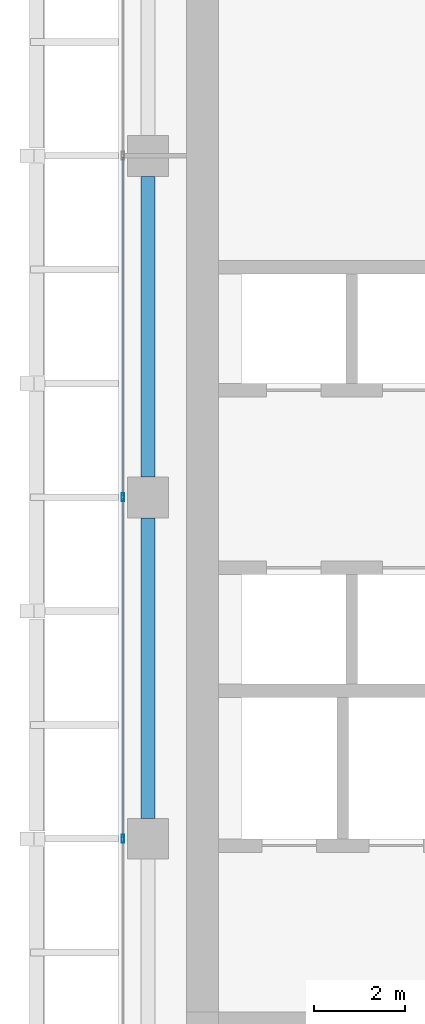
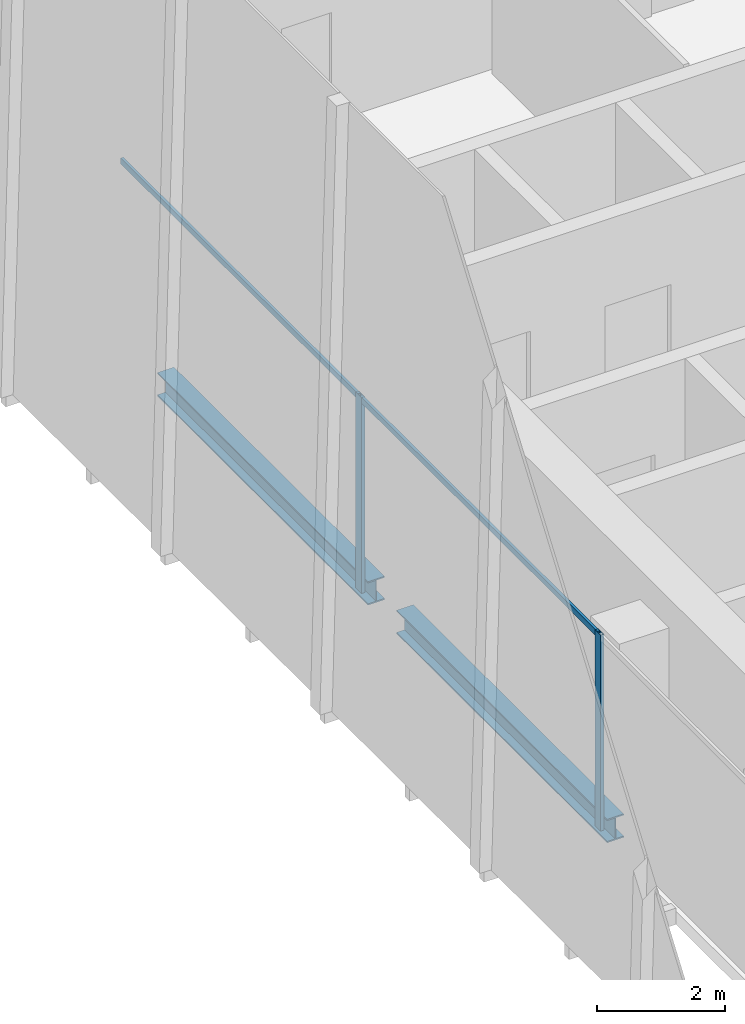
# One storey, part 6 of 35: 4 members, 2 beams, 1 element without a shape of its own.
"""IFC4 building model written with IfcOpenShell, lengths in metres."""

from ifc_helpers import new_model, si_unit, direction, frame, origin, origin_2d, place, context, subcontext, project, spatial, hollow_rectangle, i_section, extrude, source, transform, mapped, material, material_profile, profile_set, type_object, element, aggregate, save


model = new_model("IFC4")

# Units and contexts
model_context = context("Model", 3, precision=1e-05, world=origin(), true_north=direction((0.0, 1.0)))
body_context = subcontext(model_context, "Body", "Model", "MODEL_VIEW")
ifc_project = project(units=[si_unit("LENGTHUNIT", "METRE"), si_unit("AREAUNIT", "SQUARE_METRE"), si_unit("VOLUMEUNIT", "CUBIC_METRE"), si_unit("PLANEANGLEUNIT", "RADIAN"), si_unit("MASSUNIT", "GRAM", prefix="KILO")], contexts=[model_context])

# Site, building, storey
site_placement = place(None, origin())
site = spatial("IfcSite", under=ifc_project, at=site_placement, CompositionType="ELEMENT")
building_placement = place(site_placement, origin())
building = spatial("IfcBuilding", under=site, at=building_placement, Name="Khomas Fold Tower", CompositionType="ELEMENT")
storey_placement = place(building_placement, frame((0.0, 0.0, 246.199951171875)))
storey = spatial("IfcBuildingStorey", under=building, at=storey_placement, Name="L55", CompositionType="ELEMENT", Elevation=246.199951171875)

# Beams
ifc_material_1 = material(Name="Steel S355", Category="steel")
ifc_material_profile_1 = material_profile(ifc_material_1, i_section(OverallWidth=0.300048828125, OverallDepth=0.449951171875, WebThickness=0.013916015625, FlangeThickness=0.02587890625, at=origin_2d()), Name="HE 450 B")
ifc_profile_set_1 = profile_set([ifc_material_profile_1], Name="Steel S355")
beam_type = type_object("IfcBeamType", Name="HE 450 B spandrel SB4", PredefinedType="SPANDREL", material=ifc_profile_set_1)
shared_shape_1 = source(origin(), body_context, "Body", "SweptSolid", [
    extrude(i_section(OverallWidth=0.300048828125, OverallDepth=0.449951171875, WebThickness=0.013916015625, FlangeThickness=0.02587890625, at=origin_2d()), origin(), (0.0, 0.0, 1.0), 6.60009765625),
])
for number, where, z_axis, x_axis, name in (
    (1, (5.14990234375, 27.449951171875, -0.474853515625), (0.0, 1.0, 0.0), (-1.0, 0.0, 0.0), "SB4"),
    (2, (5.14990234375, 19.949951171875, -0.474853515625), (0.0, 1.0, 0.0), (-1.0, 0.0, 0.0), "SB4"),
):
    element("IfcBeam", number, at=place(storey_placement, frame(where, z_axis=z_axis, x_axis=x_axis)), inside=storey, type_object=beam_type, Name=name, PredefinedType="SPANDREL", context=body_context, shape_type="MappedRepresentation", body=[
        mapped(shared_shape_1, transform((0.0, 0.0, 0.0))),
    ])

# Curtain wall, members
ifc_material_2 = material(Name="Aluminium framed double glazing", Category="aluminium")
curtain_wall_type = type_object("IfcCurtainWallType", Name="SK-Unitised clear-glass wall, office floors CW2", PredefinedType="NOTDEFINED", material=ifc_material_2)
curtain_wall_placement = place(storey_placement, origin())
curtain_wall = element("IfcCurtainWall", 3, at=curtain_wall_placement, inside=storey, type_object=curtain_wall_type, Name="CW2 run L55 09-0", PredefinedType="NOTDEFINED")
ifc_material_3 = material(Name="Aluminium", Category="aluminium")
ifc_material_profile_2 = material_profile(ifc_material_3, hollow_rectangle(XDim=0.06005859375, YDim=0.179931640625, WallThickness=0.00390625, at=origin_2d()), Name="SK-Unitised clear-glass wall, office floors mullion CW2-M")
ifc_profile_set_2 = profile_set([ifc_material_profile_2], Name="Aluminium")
member_type_1 = type_object("IfcMemberType", Name="SK-Unitised clear-glass wall, office floors mullion CW2-M", PredefinedType="MULLION", material=ifc_profile_set_2)
shared_shape_2 = source(origin(), body_context, "Body", "SweptSolid", [
    extrude(hollow_rectangle(XDim=0.06005859375, YDim=0.179931640625, WallThickness=0.00390625, at=origin_2d()), origin(), (0.0, 0.0, 1.0), 3.75),
])
member_1_placement = place(storey_placement, frame((4.60009765625, 27.0, 0.0), z_axis=(0.0, 0.0, 1.0), x_axis=(1.0, 0.0, 0.0)))
member_1 = element("IfcMember", 4, at=member_1_placement, type_object=member_type_1, Name="CW2 mullion 4", PredefinedType="MULLION", context=body_context, shape_type="MappedRepresentation", body=[
    mapped(shared_shape_2, transform((0.0, 0.0, 0.0))),
])
member_2_placement = place(storey_placement, frame((4.60009765625, 19.5, 0.0), z_axis=(0.0, 0.0, 1.0), x_axis=(1.0, 0.0, 0.0)))
member_2 = element("IfcMember", 5, at=member_2_placement, type_object=member_type_1, Name="CW2 mullion 5", PredefinedType="MULLION", context=body_context, shape_type="MappedRepresentation", body=[
    mapped(shared_shape_2, transform((0.0, 0.0, 0.0))),
])
ifc_material_4 = material(Name="Aluminium", Category="aluminium")
ifc_material_profile_3 = material_profile(ifc_material_4, hollow_rectangle(XDim=0.050048828125, YDim=0.110107421875, WallThickness=0.00390625, at=origin_2d()), Name="SK-Unitised clear-glass wall, office floors transom CW2-T")
ifc_profile_set_3 = profile_set([ifc_material_profile_3], Name="Aluminium")
member_type_2 = type_object("IfcMemberType", Name="SK-Unitised clear-glass wall, office floors transom CW2-T", PredefinedType="USERDEFINED", material=ifc_profile_set_3)
shared_shape_3 = source(origin(), body_context, "Body", "SweptSolid", [
    extrude(hollow_rectangle(XDim=0.050048828125, YDim=0.110107421875, WallThickness=0.00390625, at=origin_2d()), origin(), (0.0, 0.0, 1.0), 7.43994140625),
])
member_3_placement = place(storey_placement, frame((4.60009765625, 34.469970703125, 3.695068359375), z_axis=(0.0, -1.0, 0.0), x_axis=(1.0, 0.0, 0.0)))
member_3 = element("IfcMember", 6, at=member_3_placement, type_object=member_type_2, Name="CW2 transom 3", ObjectType="TRANSOM", PredefinedType="USERDEFINED", context=body_context, shape_type="MappedRepresentation", body=[
    mapped(shared_shape_3, transform((0.0, 0.0, 0.0))),
])
member_4_placement = place(storey_placement, frame((4.60009765625, 26.969970703125, 3.695068359375), z_axis=(0.0, -1.0, 0.0), x_axis=(1.0, 0.0, 0.0)))
member_4 = element("IfcMember", 7, at=member_4_placement, type_object=member_type_2, Name="CW2 transom 4", ObjectType="TRANSOM", PredefinedType="USERDEFINED", context=body_context, shape_type="MappedRepresentation", body=[
    mapped(shared_shape_3, transform((0.0, 0.0, 0.0))),
])
aggregate(curtain_wall, [member_1, member_2, member_3, member_4])

save(model, "model.ifc")
